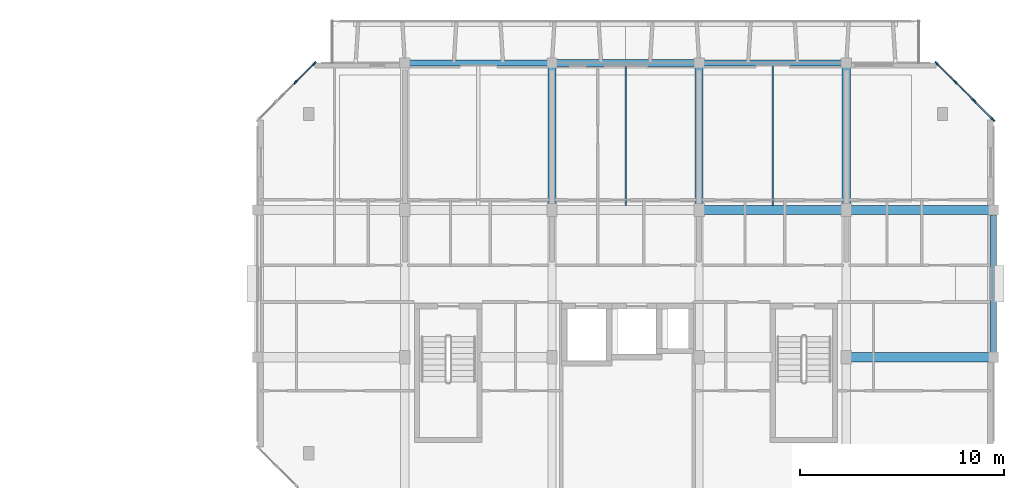
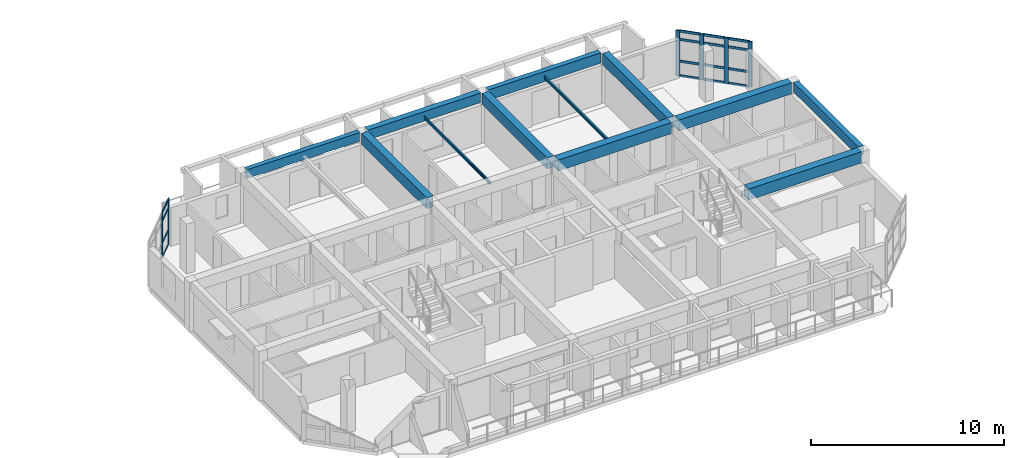
# One storey, part 10 of 44: 22 members, 12 beams, 2 elements without a shape of their own.
"""IFC4 building model written with IfcOpenShell, lengths in metres."""

from ifc_helpers import new_model, si_unit, direction, frame, origin, origin_2d, place, context, subcontext, project, spatial, rectangle, i_section, u_section, extrude, material, layer, layer_set, material_profile, profile_set, type_object, element, aggregate, save


model = new_model("IFC4")

# Units and contexts
model_context = context("Model", 3, precision=1e-05, world=origin(), true_north=direction((0.0, 1.0)))
body_context = subcontext(model_context, "Body", "Model", "MODEL_VIEW")
ifc_project = project(units=[si_unit("LENGTHUNIT", "METRE"), si_unit("AREAUNIT", "SQUARE_METRE"), si_unit("VOLUMEUNIT", "CUBIC_METRE"), si_unit("PLANEANGLEUNIT", "RADIAN"), si_unit("MASSUNIT", "GRAM", prefix="KILO")], contexts=[model_context])

# Site, building, storey
site_placement = place(None, origin())
site = spatial("IfcSite", under=ifc_project, at=site_placement, CompositionType="ELEMENT")
building_placement = place(site_placement, origin())
building = spatial("IfcBuilding", under=site, at=building_placement, Name="Ochrevale Crest", CompositionType="ELEMENT")
storey_placement = place(building_placement, frame((0.0, 0.0, 21.300048828125)))
storey = spatial("IfcBuildingStorey", under=building, at=storey_placement, Name="L06", CompositionType="ELEMENT", Elevation=21.300048828125)

# Beams
ifc_material_1 = material(Name="Precast concrete C50/60", Category="concrete")
ifc_material_profile_1 = material_profile(ifc_material_1, rectangle(XDim=0.39990234375, YDim=0.699951171875, at=origin_2d()), Name="PC 400x700")
ifc_profile_set_1 = profile_set([ifc_material_profile_1], Name="Precast concrete C50/60")
beam_type_1 = type_object("IfcBeamType", Name="BM-PC400x700", PredefinedType="BEAM", material=ifc_profile_set_1)
for number, where, z_axis, x_axis, name in (
    (1, (144.0, 86.6298828125, 2.800048828125), (0.0, 1.0, 0.0), (-1.0, 0.0, 0.0), "Block D L06 N-S beam X=144.0"),
    (2, (151.199951171875, 86.6298828125, 2.800048828125), (0.0, 1.0, 0.0), (-1.0, 0.0, 0.0), "Block D L06 N-S beam X=151.2"),
    (3, (158.39990234375, 86.6298828125, 2.800048828125), (0.0, 1.0, 0.0), (-1.0, 0.0, 0.0), "Block D L06 N-S beam X=158.4"),
):
    element("IfcBeam", number, at=place(storey_placement, frame(where, z_axis=z_axis, x_axis=x_axis)), inside=storey, type_object=beam_type_1, Name=name, PredefinedType="BEAM", context=body_context, shape_type="SweptSolid", body=[
        extrude(rectangle(XDim=0.39990234375, YDim=0.699951171875, at=origin_2d()), origin(), (0.0, 0.0, 1.0), 6.740234375),
    ])
ifc_material_2 = material(Name="Steel S355", Category="steel")
ifc_material_profile_2 = material_profile(ifc_material_2, u_section(Depth=0.199951171875, FlangeWidth=0.074951171875, WebThickness=0.006103515625, FlangeThickness=0.011962890625, FilletRadius=0.011962890625, at=origin_2d()), Name="200PFC")
ifc_profile_set_2 = profile_set([ifc_material_profile_2], Name="Steel S355")
beam_type_2 = type_object("IfcBeamType", Name="BM-PFC200", PredefinedType="JOIST", material=ifc_profile_set_2)
beam_1_placement = place(storey_placement, frame((147.60009765625, 86.613037109375, 2.77490234375), z_axis=(0.0, 1.0, 0.0), x_axis=(-1.0, 0.0, 0.0)))
element("IfcBeam", 4, at=beam_1_placement, inside=storey, type_object=beam_type_2, Name="Block D L06 composite plank trimmer beam 3", PredefinedType="JOIST", context=body_context, shape_type="SweptSolid", body=[
    extrude(u_section(Depth=0.199951171875, FlangeWidth=0.074951171875, WebThickness=0.006103515625, FlangeThickness=0.011962890625, FilletRadius=0.011962890625, at=origin_2d()), origin(), (0.0, 0.0, 1.0), 6.823974609375),
])
ifc_material_3 = material(Name="Concrete C50/60", Category="concrete")
ifc_material_profile_3 = material_profile(ifc_material_3, rectangle(XDim=0.449951171875, YDim=0.699951171875, at=origin_2d()), Name="RC 450x700")
ifc_profile_set_3 = profile_set([ifc_material_profile_3], Name="Concrete C50/60")
beam_type_3 = type_object("IfcBeamType", Name="BM-PG450x700", PredefinedType="USERDEFINED", material=ifc_profile_set_3)
for number, where, z_axis, x_axis, name in (
    (5, (158.625, 79.199951171875, 2.800048828125), (1.0, 0.0, 0.0), (0.0, 1.0, 0.0), "Block D L06 E-W beam Y=79.2"),
    (6, (151.425048828125, 86.39990234375, 2.800048828125), (1.0, 0.0, 0.0), (0.0, 1.0, 0.0), "Block D L06 E-W beam Y=86.4"),
    (7, (158.625, 86.39990234375, 2.800048828125), (1.0, 0.0, 0.0), (0.0, 1.0, 0.0), "Block D L06 E-W beam Y=86.4"),
):
    element("IfcBeam", number, at=place(storey_placement, frame(where, z_axis=z_axis, x_axis=x_axis)), inside=storey, type_object=beam_type_3, Name=name, ObjectType="GIRDER", PredefinedType="USERDEFINED", context=body_context, shape_type="SweptSolid", body=[
        extrude(rectangle(XDim=0.449951171875, YDim=0.699951171875, at=origin_2d()), origin(), (0.0, 0.0, 1.0), 6.75),
    ])
ifc_material_4 = material(Name="Precast concrete C40/50", Category="concrete")
ifc_material_profile_4 = material_profile(ifc_material_4, rectangle(XDim=0.280029296875, YDim=0.550048828125, at=origin_2d()), Name="PC 280x550")
ifc_profile_set_4 = profile_set([ifc_material_profile_4], Name="Precast concrete C40/50")
beam_type_4 = type_object("IfcBeamType", Name="BM-SP280x550", PredefinedType="SPANDREL", material=ifc_profile_set_4)
beam_2_placement = place(storey_placement, frame((137.02490234375, 93.60009765625, 2.875), z_axis=(1.0, 0.0, 0.0), x_axis=(0.0, 1.0, 0.0)))
element("IfcBeam", 8, at=beam_2_placement, inside=storey, type_object=beam_type_4, Name="Block D L06 E-W beam Y=93.6", PredefinedType="SPANDREL", context=body_context, shape_type="SweptSolid", body=[
    extrude(rectangle(XDim=0.280029296875, YDim=0.550048828125, at=origin_2d()), origin(), (0.0, 0.0, 1.0), 6.75),
])
ifc_material_profile_5 = material_profile(ifc_material_4, rectangle(XDim=0.300048828125, YDim=0.60009765625, at=origin_2d()), Name="PC 300x600")
ifc_profile_set_5 = profile_set([ifc_material_profile_5], Name="Precast concrete C40/50")
beam_type_5 = type_object("IfcBeamType", Name="BM-SP300x600", PredefinedType="SPANDREL", material=ifc_profile_set_5)
beam_3_placement = place(storey_placement, frame((165.60009765625, 79.429931640625, 2.849853515625), z_axis=(0.0, 1.0, 0.0), x_axis=(-1.0, 0.0, 0.0)))
element("IfcBeam", 9, at=beam_3_placement, inside=storey, type_object=beam_type_5, Name="Block D L06 N-S beam X=165.6", PredefinedType="SPANDREL", context=body_context, shape_type="SweptSolid", body=[
    extrude(rectangle(XDim=0.300048828125, YDim=0.60009765625, at=origin_2d()), origin(), (0.0, 0.0, 1.0), 6.739990234375),
])
ifc_material_profile_6 = material_profile(ifc_material_4, rectangle(XDim=0.300048828125, YDim=0.64990234375, at=origin_2d()), Name="PC 300x650")
ifc_profile_set_6 = profile_set([ifc_material_profile_6], Name="Precast concrete C40/50")
beam_type_6 = type_object("IfcBeamType", Name="BM-SP300x650", PredefinedType="SPANDREL", material=ifc_profile_set_6)
beam_4_placement = place(storey_placement, frame((151.425048828125, 93.60009765625, 2.824951171875), z_axis=(1.0, 0.0, 0.0), x_axis=(0.0, 1.0, 0.0)))
element("IfcBeam", 10, at=beam_4_placement, inside=storey, type_object=beam_type_6, Name="Block D L06 E-W beam Y=93.6", PredefinedType="SPANDREL", context=body_context, shape_type="SweptSolid", body=[
    extrude(rectangle(XDim=0.300048828125, YDim=0.64990234375, at=origin_2d()), origin(), (0.0, 0.0, 1.0), 6.75),
])
ifc_material_profile_7 = material_profile(ifc_material_4, rectangle(XDim=0.35009765625, YDim=0.60009765625, at=origin_2d()), Name="PC 350x600")
ifc_profile_set_7 = profile_set([ifc_material_profile_7], Name="Precast concrete C40/50")
beam_type_7 = type_object("IfcBeamType", Name="BM-SP350x600", PredefinedType="SPANDREL", material=ifc_profile_set_7)
beam_5_placement = place(storey_placement, frame((144.22509765625, 93.60009765625, 2.849853515625), z_axis=(1.0, 0.0, 0.0), x_axis=(0.0, 1.0, 0.0)))
element("IfcBeam", 11, at=beam_5_placement, inside=storey, type_object=beam_type_7, Name="Block D L06 E-W beam Y=93.6", PredefinedType="SPANDREL", context=body_context, shape_type="SweptSolid", body=[
    extrude(rectangle(XDim=0.35009765625, YDim=0.60009765625, at=origin_2d()), origin(), (0.0, 0.0, 1.0), 6.75),
])
ifc_material_profile_8 = material_profile(ifc_material_2, i_section(OverallWidth=0.090087890625, OverallDepth=0.1787109375, WebThickness=0.006103515625, FlangeThickness=0.010009765625, FilletRadius=0.0087890625, at=origin_2d()), Name="180UB22.2")
ifc_profile_set_8 = profile_set([ifc_material_profile_8], Name="Steel S355")
beam_type_8 = type_object("IfcBeamType", Name="BM-UB180", PredefinedType="JOIST", material=ifc_profile_set_8)
beam_6_placement = place(storey_placement, frame((154.800048828125, 86.613037109375, 2.78564453125), z_axis=(0.0, 1.0, 0.0), x_axis=(-1.0, 0.0, 0.0)))
element("IfcBeam", 12, at=beam_6_placement, inside=storey, type_object=beam_type_8, Name="Block D L06 composite plank trimmer beam 4", PredefinedType="JOIST", context=body_context, shape_type="SweptSolid", body=[
    extrude(i_section(OverallWidth=0.090087890625, OverallDepth=0.1787109375, WebThickness=0.006103515625, FlangeThickness=0.010009765625, FilletRadius=0.0087890625, at=origin_2d()), origin(), (0.0, 0.0, 1.0), 6.848876953125),
])

# Curtain wall, members
ifc_material_5 = material(Name="Anodised aluminium 6063-T5", Category="aluminium")
ifc_layer_1 = layer(ifc_material_5, 0.14990234375)
ifc_layer_set_1 = layer_set([ifc_layer_1], Name="Anodised aluminium 6063-T5")
curtain_wall_type_1 = type_object("IfcCurtainWallType", Name="CW-WG-240x285", PredefinedType="NOTDEFINED", material=ifc_layer_set_1)
curtain_wall_1_placement = place(storey_placement, origin())
curtain_wall_1 = element("IfcCurtainWall", 13, at=curtain_wall_1_placement, inside=storey, type_object=curtain_wall_type_1, Name="Block D L06 chamfered corner wintergarden curtain wall 4", PredefinedType="NOTDEFINED")
ifc_material_profile_9 = material_profile(ifc_material_5, rectangle(XDim=0.074951171875, YDim=0.219970703125, at=origin_2d()), Name="ALU 75x220")
ifc_profile_set_9 = profile_set([ifc_material_profile_9], Name="Anodised aluminium 6063-T5")
member_type_1 = type_object("IfcMemberType", Name="CW-MUL-75x220", PredefinedType="MULLION", material=ifc_profile_set_9)
member_1_placement = place(storey_placement, frame((165.573486328125, 90.826416015625, 0.0), z_axis=(0.0, 0.0, 1.0), x_axis=(-0.707106781187, -0.707106781187, 0.0)))
member_1 = element("IfcMember", 14, at=member_1_placement, type_object=member_type_1, Name="CW15 mullion 1", PredefinedType="MULLION", context=body_context, shape_type="SweptSolid", body=[
    extrude(rectangle(XDim=0.074951171875, YDim=0.219970703125, at=origin_2d()), origin(), (0.0, 0.0, 1.0), 2.875),
])
member_2_placement = place(storey_placement, frame((164.666748046875, 91.7333984375, 0.0), z_axis=(0.0, 0.0, 1.0), x_axis=(-0.707106781187, -0.707106781187, 0.0)))
member_2 = element("IfcMember", 15, at=member_2_placement, type_object=member_type_1, Name="CW15 mullion 2", PredefinedType="MULLION", context=body_context, shape_type="SweptSolid", body=[
    extrude(rectangle(XDim=0.074951171875, YDim=0.219970703125, at=origin_2d()), origin(), (0.0, 0.0, 1.0), 2.875),
])
member_3_placement = place(storey_placement, frame((163.7333984375, 92.666748046875, 0.0), z_axis=(0.0, 0.0, 1.0), x_axis=(-0.707106781187, -0.707106781187, 0.0)))
member_3 = element("IfcMember", 16, at=member_3_placement, type_object=member_type_1, Name="CW15 mullion 3", PredefinedType="MULLION", context=body_context, shape_type="SweptSolid", body=[
    extrude(rectangle(XDim=0.074951171875, YDim=0.219970703125, at=origin_2d()), origin(), (0.0, 0.0, 1.0), 2.875),
])
member_4_placement = place(storey_placement, frame((162.826416015625, 93.573486328125, 0.0), z_axis=(0.0, 0.0, 1.0), x_axis=(-0.707106781187, -0.707106781187, 0.0)))
member_4 = element("IfcMember", 17, at=member_4_placement, type_object=member_type_1, Name="CW15 mullion 4", PredefinedType="MULLION", context=body_context, shape_type="SweptSolid", body=[
    extrude(rectangle(XDim=0.074951171875, YDim=0.219970703125, at=origin_2d()), origin(), (0.0, 0.0, 1.0), 2.875),
])

ifc_layer_2 = layer(ifc_material_5, 0.14990234375)
ifc_layer_set_2 = layer_set([ifc_layer_2], Name="Anodised aluminium 6063-T5")
curtain_wall_type_2 = type_object("IfcCurtainWallType", Name="CW-WG-320x285", PredefinedType="NOTDEFINED", material=ifc_layer_set_2)
curtain_wall_2_placement = place(storey_placement, origin())
curtain_wall_2 = element("IfcCurtainWall", 18, at=curtain_wall_2_placement, inside=storey, type_object=curtain_wall_type_2, Name="Block D L06 chamfered corner wintergarden curtain wall 6", PredefinedType="NOTDEFINED")
member_5_placement = place(storey_placement, frame((132.37353515625, 93.573486328125, 0.0), z_axis=(0.0, 0.0, 1.0), x_axis=(0.707106781187, -0.707106781187, 0.0)))
member_5 = element("IfcMember", 19, at=member_5_placement, type_object=member_type_1, Name="CW17 mullion 1", PredefinedType="MULLION", context=body_context, shape_type="SweptSolid", body=[
    extrude(rectangle(XDim=0.074951171875, YDim=0.219970703125, at=origin_2d()), origin(), (0.0, 0.0, 1.0), 2.875),
])
member_6_placement = place(storey_placement, frame((131.466552734375, 92.666748046875, 0.0), z_axis=(0.0, 0.0, 1.0), x_axis=(0.707106781187, -0.707106781187, 0.0)))
member_6 = element("IfcMember", 20, at=member_6_placement, type_object=member_type_1, Name="CW17 mullion 2", PredefinedType="MULLION", context=body_context, shape_type="SweptSolid", body=[
    extrude(rectangle(XDim=0.074951171875, YDim=0.219970703125, at=origin_2d()), origin(), (0.0, 0.0, 1.0), 2.875),
])

# Member
ifc_material_profile_10 = material_profile(ifc_material_5, rectangle(XDim=0.06005859375, YDim=0.14990234375, at=origin_2d()), Name="ALU 60x150")
ifc_profile_set_10 = profile_set([ifc_material_profile_10], Name="Anodised aluminium 6063-T5")
member_type_2 = type_object("IfcMemberType", Name="CW-TRN-60x150", PredefinedType="USERDEFINED", material=ifc_profile_set_10)
member_7_placement = place(storey_placement, frame((165.546875, 90.85302734375, 0.030029296875), z_axis=(-0.707106781187, 0.707106781187, 0.0), x_axis=(-0.707106781187, -0.707106781187, 0.0)))
member_7 = element("IfcMember", 21, at=member_7_placement, type_object=member_type_2, Name="CW15 transom 1.1", ObjectType="TRANSOM", PredefinedType="USERDEFINED", context=body_context, shape_type="SweptSolid", body=[
    extrude(rectangle(XDim=0.06005859375, YDim=0.14990234375, at=origin_2d()), origin(), (0.0, 0.0, 1.0), 1.20751953125),
])

member_8_placement = place(storey_placement, frame((165.546875, 90.85302734375, 0.949951171875), z_axis=(-0.707106781187, 0.707106781187, 0.0), x_axis=(-0.707106781187, -0.707106781187, 0.0)))
member_8 = element("IfcMember", 22, at=member_8_placement, type_object=member_type_2, Name="CW15 transom 1.2", ObjectType="TRANSOM", PredefinedType="USERDEFINED", context=body_context, shape_type="SweptSolid", body=[
    extrude(rectangle(XDim=0.06005859375, YDim=0.14990234375, at=origin_2d()), origin(), (0.0, 0.0, 1.0), 1.20751953125),
])

member_9_placement = place(storey_placement, frame((165.546875, 90.85302734375, 2.324951171875), z_axis=(-0.707106781187, 0.707106781187, 0.0), x_axis=(-0.707106781187, -0.707106781187, 0.0)))
member_9 = element("IfcMember", 23, at=member_9_placement, type_object=member_type_2, Name="CW15 transom 1.3", ObjectType="TRANSOM", PredefinedType="USERDEFINED", context=body_context, shape_type="SweptSolid", body=[
    extrude(rectangle(XDim=0.06005859375, YDim=0.14990234375, at=origin_2d()), origin(), (0.0, 0.0, 1.0), 1.20751953125),
])

member_10_placement = place(storey_placement, frame((165.546875, 90.85302734375, 2.844970703125), z_axis=(-0.707106781187, 0.707106781187, 0.0), x_axis=(-0.707106781187, -0.707106781187, 0.0)))
member_10 = element("IfcMember", 24, at=member_10_placement, type_object=member_type_2, Name="CW15 transom 1.4", ObjectType="TRANSOM", PredefinedType="USERDEFINED", context=body_context, shape_type="SweptSolid", body=[
    extrude(rectangle(XDim=0.06005859375, YDim=0.14990234375, at=origin_2d()), origin(), (0.0, 0.0, 1.0), 1.20751953125),
])

member_11_placement = place(storey_placement, frame((164.64013671875, 91.759765625, 0.030029296875), z_axis=(-0.707106781187, 0.707106781187, 0.0), x_axis=(-0.707106781187, -0.707106781187, 0.0)))
member_11 = element("IfcMember", 25, at=member_11_placement, type_object=member_type_2, Name="CW15 transom 2.1", ObjectType="TRANSOM", PredefinedType="USERDEFINED", context=body_context, shape_type="SweptSolid", body=[
    extrude(rectangle(XDim=0.06005859375, YDim=0.14990234375, at=origin_2d()), origin(), (0.0, 0.0, 1.0), 1.2451171875),
])

member_12_placement = place(storey_placement, frame((164.64013671875, 91.759765625, 0.949951171875), z_axis=(-0.707106781187, 0.707106781187, 0.0), x_axis=(-0.707106781187, -0.707106781187, 0.0)))
member_12 = element("IfcMember", 26, at=member_12_placement, type_object=member_type_2, Name="CW15 transom 2.2", ObjectType="TRANSOM", PredefinedType="USERDEFINED", context=body_context, shape_type="SweptSolid", body=[
    extrude(rectangle(XDim=0.06005859375, YDim=0.14990234375, at=origin_2d()), origin(), (0.0, 0.0, 1.0), 1.2451171875),
])

member_13_placement = place(storey_placement, frame((164.64013671875, 91.759765625, 2.324951171875), z_axis=(-0.707106781187, 0.707106781187, 0.0), x_axis=(-0.707106781187, -0.707106781187, 0.0)))
member_13 = element("IfcMember", 27, at=member_13_placement, type_object=member_type_2, Name="CW15 transom 2.3", ObjectType="TRANSOM", PredefinedType="USERDEFINED", context=body_context, shape_type="SweptSolid", body=[
    extrude(rectangle(XDim=0.06005859375, YDim=0.14990234375, at=origin_2d()), origin(), (0.0, 0.0, 1.0), 1.2451171875),
])

member_14_placement = place(storey_placement, frame((164.64013671875, 91.759765625, 2.844970703125), z_axis=(-0.707106781187, 0.707106781187, 0.0), x_axis=(-0.707106781187, -0.707106781187, 0.0)))
member_14 = element("IfcMember", 28, at=member_14_placement, type_object=member_type_2, Name="CW15 transom 2.4", ObjectType="TRANSOM", PredefinedType="USERDEFINED", context=body_context, shape_type="SweptSolid", body=[
    extrude(rectangle(XDim=0.06005859375, YDim=0.14990234375, at=origin_2d()), origin(), (0.0, 0.0, 1.0), 1.2451171875),
])

member_15_placement = place(storey_placement, frame((163.706787109375, 92.693115234375, 0.030029296875), z_axis=(-0.707106781187, 0.707106781187, 0.0), x_axis=(-0.707106781187, -0.707106781187, 0.0)))
member_15 = element("IfcMember", 29, at=member_15_placement, type_object=member_type_2, Name="CW15 transom 3.1", ObjectType="TRANSOM", PredefinedType="USERDEFINED", context=body_context, shape_type="SweptSolid", body=[
    extrude(rectangle(XDim=0.06005859375, YDim=0.14990234375, at=origin_2d()), origin(), (0.0, 0.0, 1.0), 1.20751953125),
])

member_16_placement = place(storey_placement, frame((163.706787109375, 92.693115234375, 0.949951171875), z_axis=(-0.707106781187, 0.707106781187, 0.0), x_axis=(-0.707106781187, -0.707106781187, 0.0)))
member_16 = element("IfcMember", 30, at=member_16_placement, type_object=member_type_2, Name="CW15 transom 3.2", ObjectType="TRANSOM", PredefinedType="USERDEFINED", context=body_context, shape_type="SweptSolid", body=[
    extrude(rectangle(XDim=0.06005859375, YDim=0.14990234375, at=origin_2d()), origin(), (0.0, 0.0, 1.0), 1.20751953125),
])

member_17_placement = place(storey_placement, frame((163.706787109375, 92.693115234375, 2.324951171875), z_axis=(-0.707106781187, 0.707106781187, 0.0), x_axis=(-0.707106781187, -0.707106781187, 0.0)))
member_17 = element("IfcMember", 31, at=member_17_placement, type_object=member_type_2, Name="CW15 transom 3.3", ObjectType="TRANSOM", PredefinedType="USERDEFINED", context=body_context, shape_type="SweptSolid", body=[
    extrude(rectangle(XDim=0.06005859375, YDim=0.14990234375, at=origin_2d()), origin(), (0.0, 0.0, 1.0), 1.20751953125),
])

member_18_placement = place(storey_placement, frame((163.706787109375, 92.693115234375, 2.844970703125), z_axis=(-0.707106781187, 0.707106781187, 0.0), x_axis=(-0.707106781187, -0.707106781187, 0.0)))
member_18 = element("IfcMember", 32, at=member_18_placement, type_object=member_type_2, Name="CW15 transom 3.4", ObjectType="TRANSOM", PredefinedType="USERDEFINED", context=body_context, shape_type="SweptSolid", body=[
    extrude(rectangle(XDim=0.06005859375, YDim=0.14990234375, at=origin_2d()), origin(), (0.0, 0.0, 1.0), 1.20751953125),
])

aggregate(curtain_wall_1, [member_1, member_2, member_3, member_4, member_7, member_8, member_9, member_10, member_11, member_12, member_13, member_14, member_15, member_16, member_17, member_18])

member_19_placement = place(storey_placement, frame((132.346923828125, 93.546875, 0.030029296875), z_axis=(-0.707106781187, -0.707106781187, 0.0), x_axis=(0.707106781187, -0.707106781187, 0.0)))
member_19 = element("IfcMember", 33, at=member_19_placement, type_object=member_type_2, Name="CW17 transom 1.1", ObjectType="TRANSOM", PredefinedType="USERDEFINED", context=body_context, shape_type="SweptSolid", body=[
    extrude(rectangle(XDim=0.06005859375, YDim=0.14990234375, at=origin_2d()), origin(), (0.0, 0.0, 1.0), 1.20751953125),
])

member_20_placement = place(storey_placement, frame((132.346923828125, 93.546875, 0.949951171875), z_axis=(-0.707106781187, -0.707106781187, 0.0), x_axis=(0.707106781187, -0.707106781187, 0.0)))
member_20 = element("IfcMember", 34, at=member_20_placement, type_object=member_type_2, Name="CW17 transom 1.2", ObjectType="TRANSOM", PredefinedType="USERDEFINED", context=body_context, shape_type="SweptSolid", body=[
    extrude(rectangle(XDim=0.06005859375, YDim=0.14990234375, at=origin_2d()), origin(), (0.0, 0.0, 1.0), 1.20751953125),
])

member_21_placement = place(storey_placement, frame((132.346923828125, 93.546875, 2.324951171875), z_axis=(-0.707106781187, -0.707106781187, 0.0), x_axis=(0.707106781187, -0.707106781187, 0.0)))
member_21 = element("IfcMember", 35, at=member_21_placement, type_object=member_type_2, Name="CW17 transom 1.3", ObjectType="TRANSOM", PredefinedType="USERDEFINED", context=body_context, shape_type="SweptSolid", body=[
    extrude(rectangle(XDim=0.06005859375, YDim=0.14990234375, at=origin_2d()), origin(), (0.0, 0.0, 1.0), 1.20751953125),
])

member_22_placement = place(storey_placement, frame((132.346923828125, 93.546875, 2.844970703125), z_axis=(-0.707106781187, -0.707106781187, 0.0), x_axis=(0.707106781187, -0.707106781187, 0.0)))
member_22 = element("IfcMember", 36, at=member_22_placement, type_object=member_type_2, Name="CW17 transom 1.4", ObjectType="TRANSOM", PredefinedType="USERDEFINED", context=body_context, shape_type="SweptSolid", body=[
    extrude(rectangle(XDim=0.06005859375, YDim=0.14990234375, at=origin_2d()), origin(), (0.0, 0.0, 1.0), 1.20751953125),
])

aggregate(curtain_wall_2, [member_5, member_6, member_19, member_20, member_21, member_22])

save(model, "model.ifc")
